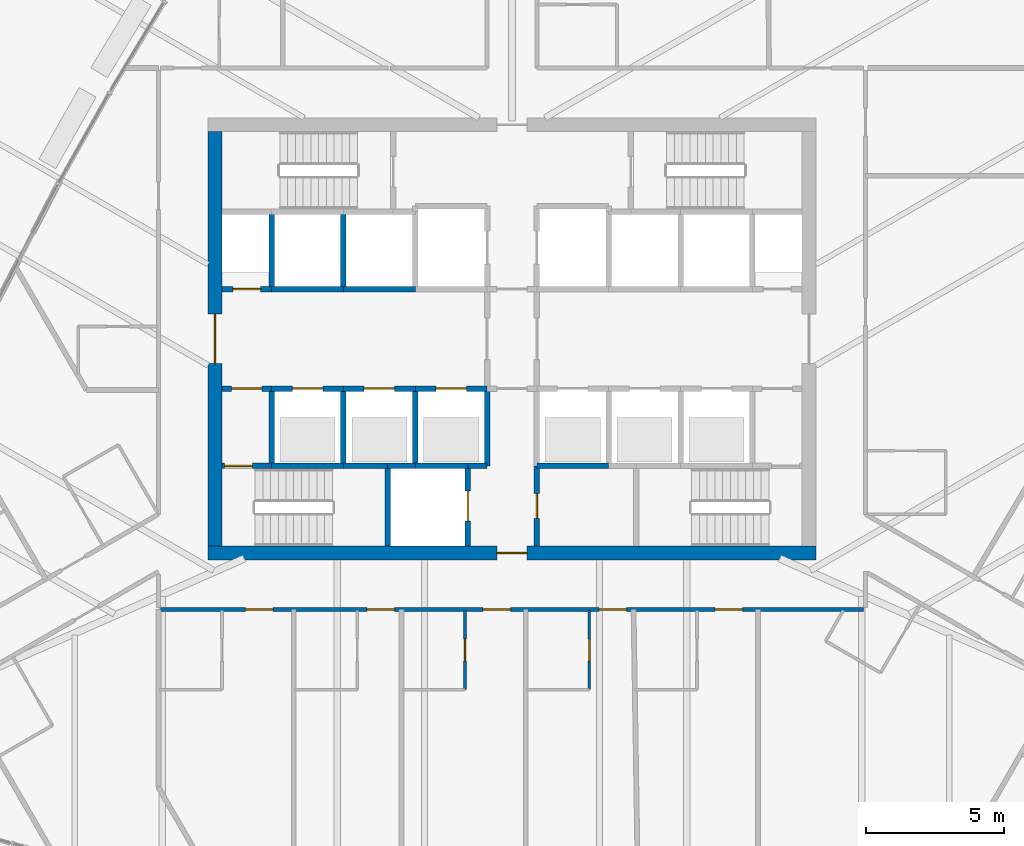
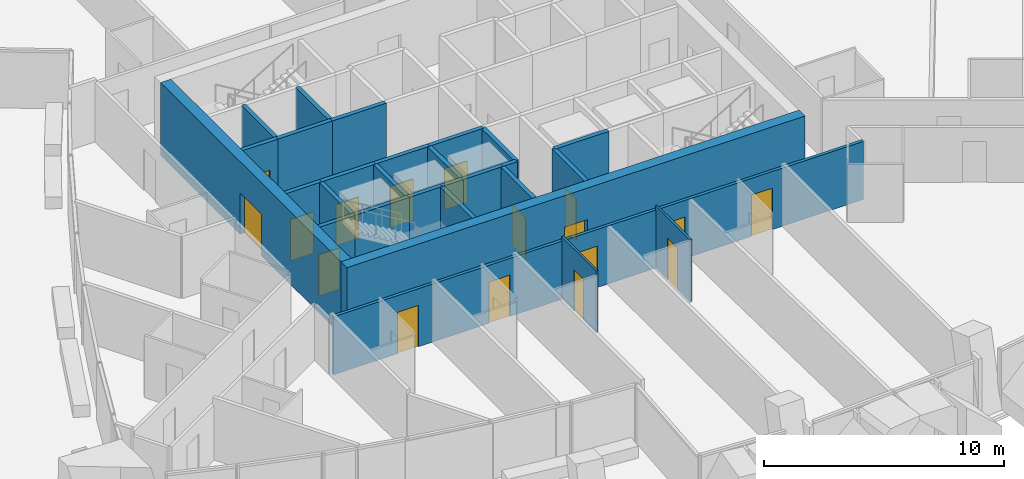
# One storey, part 15 of 24: 28 walls, 17 doors, 17 openings.
"""IFC4 building model written with IfcOpenShell, lengths in metres."""

import ifcopenshell
import ifcopenshell.guid

model = None  # the IFC model being written
_history = None  # IfcOwnerHistory: only IFC2X3 demands one
_inside = {}  # id of a spatial element -> (the spatial element, [elements in it])
_under = {}  # id of a project, library or spatial element -> (it, [spatial elements below it])
_declared = {}  # id of a project -> (the project, [libraries it declares])
_typed = {}  # id of a type object -> (the type object, [elements of that type])
_made_of = {}  # id of a material, layer set ... -> (it, [elements and type objects made of it])


def new_model(schema):
    """Start an empty IFC model of exactly this schema.

    Asked for "IFC4X3", IfcOpenShell would pick the latest addendum, in which some entities
    have other attributes; the version numbers below select the first issue.
    IFC2X3 requires an IfcOwnerHistory on every rooted entity: one is made here for all.
    """
    global model, _history
    if schema == "IFC4X3":
        model = ifcopenshell.file(schema_version=(4, 3, 0, 0))
    else:
        model = ifcopenshell.file(schema=schema)
    _inside.clear()
    _under.clear()
    _declared.clear()
    _typed.clear()
    _made_of.clear()
    _history = None
    if model.schema == "IFC2X3":
        org = make("IfcOrganization", Name="unknown")
        user = make(
            "IfcPersonAndOrganization",
            ThePerson=make("IfcPerson", FamilyName="unknown"),
            TheOrganization=org,
        )
        app = make(
            "IfcApplication",
            ApplicationDeveloper=org,
            Version="unknown",
            ApplicationFullName="unknown",
            ApplicationIdentifier="unknown",
        )
        _history = make(
            "IfcOwnerHistory",
            OwningUser=user,
            OwningApplication=app,
            ChangeAction="ADDED",
            CreationDate=0,
        )
    return model


def make(cls, **values):
    """One entity of the class cls with the attributes given. An attribute that is None is left unset."""
    return model.create_entity(
        cls, **{name: value for name, value in values.items() if value is not None}
    )


def rooted(cls, **values):
    """An entity with a GlobalId (a new one), such as an element, a storey or a relation."""
    return make(cls, GlobalId=ifcopenshell.guid.new(), OwnerHistory=_history, **values)


def si_unit(unit_type, name, prefix=None):
    """IfcSIUnit, for example si_unit("LENGTHUNIT", "METRE", prefix="MILLI")."""
    return make("IfcSIUnit", UnitType=unit_type, Prefix=prefix, Name=name)


def assignment(units):
    """IfcUnitAssignment: the units of a project."""
    return None if units is None else make("IfcUnitAssignment", Units=units)


def point(xyz):
    """IfcCartesianPoint."""
    return None if xyz is None else make("IfcCartesianPoint", Coordinates=xyz)


def direction(xyz):
    """IfcDirection."""
    return None if xyz is None else make("IfcDirection", DirectionRatios=xyz)


def frame(location, z_axis=None, x_axis=None):
    """IfcAxis2Placement3D, a coordinate frame: its origin and axes. An axis left out is left unset."""
    return make(
        "IfcAxis2Placement3D",
        Location=point(location),
        Axis=direction(z_axis),
        RefDirection=direction(x_axis),
    )


def frame_2d(location, x_axis=None):
    """IfcAxis2Placement2D, a coordinate frame in the plane: its origin and x axis."""
    return make(
        "IfcAxis2Placement2D", Location=point(location), RefDirection=direction(x_axis)
    )


def origin():
    """The frame at (0, 0, 0) with its axes left unset."""
    return frame((0.0, 0.0, 0.0))


def place(relative_to, where):
    """IfcLocalPlacement: puts the frame where relative to a parent placement (None: the world)."""
    return make(
        "IfcLocalPlacement", PlacementRelTo=relative_to, RelativePlacement=where
    )


def context(
    kind, dimensions, precision=None, world=None, true_north=None, identifier=None
):
    """IfcGeometricRepresentationContext, for example the 3D "Model" context."""
    return make(
        "IfcGeometricRepresentationContext",
        ContextIdentifier=identifier,
        ContextType=kind,
        CoordinateSpaceDimension=dimensions,
        Precision=precision,
        WorldCoordinateSystem=world,
        TrueNorth=true_north,
    )


def subcontext(parent, identifier, kind, view, scale=None):
    """IfcGeometricRepresentationSubContext, for example "Body" below "Model"."""
    return make(
        "IfcGeometricRepresentationSubContext",
        ContextIdentifier=identifier,
        ContextType=kind,
        ParentContext=parent,
        TargetScale=scale,
        TargetView=view,
    )


def project(units=None, contexts=None):
    """IfcProject with its units and contexts."""
    return rooted(
        "IfcProject",
        Name="project",
        RepresentationContexts=contexts,
        UnitsInContext=assignment(units),
    )


def spatial(cls, under=None, at=None, **own):
    """A site, building, storey or space (cls), placed at a placement, below another one or the project."""
    s = rooted(cls, ObjectPlacement=at, **own)
    if under is not None:
        _under.setdefault(under.id(), (under, []))[1].append(s)
    return s


def profile(cls, at=None, kind="AREA", **sizes):
    """A parametric profile (cls). Its sizes go by their IFC names, for example OverallWidth=200.0."""
    return make(cls, ProfileType=kind, Position=at, **sizes)


def rectangle(**sizes):
    """IfcRectangleProfileDef."""
    return profile("IfcRectangleProfileDef", **sizes)


def extrude(swept, where, along, depth):
    """IfcExtrudedAreaSolid: the profile swept, set in the frame where, extruded along a direction by depth."""
    return make(
        "IfcExtrudedAreaSolid",
        SweptArea=swept,
        Position=where,
        ExtrudedDirection=direction(along),
        Depth=depth,
    )


def shape(context_of_items, identifier, shape_type, items):
    """IfcShapeRepresentation: the items that make up one representation, for example the "Body"."""
    return make(
        "IfcShapeRepresentation",
        ContextOfItems=context_of_items,
        RepresentationIdentifier=identifier,
        RepresentationType=shape_type,
        Items=items,
    )


def material(Name=None, Category=None):
    """IfcMaterial."""
    return make("IfcMaterial", Name=Name, Category=Category)


def layer(
    of_material, thickness, ventilated=None, Name=None, Category=None, Priority=None
):
    """IfcMaterialLayer: one layer of a wall or slab, of a material (None: an air gap)."""
    return make(
        "IfcMaterialLayer",
        Material=of_material,
        LayerThickness=thickness,
        IsVentilated=ventilated,
        Name=Name,
        Category=Category,
        Priority=Priority,
    )


def layer_set(layers, Name=None):
    """IfcMaterialLayerSet."""
    return make("IfcMaterialLayerSet", MaterialLayers=layers, LayerSetName=Name)


def made_of(thing, what):
    """Note that an element or type object is made of a material, layer set ...; save() writes the relation."""
    if what is not None:
        _made_of.setdefault(what.id(), (what, []))[1].append(thing)
    return thing


def type_object(cls, material=None, **own):
    """A type object (cls), such as IfcWallType, which elements share."""
    return made_of(rooted(cls, **own), material)


def element(
    cls,
    number,
    at=None,
    inside=None,
    cuts=None,
    type_object=None,
    material=None,
    context=None,
    identifier="Body",
    shape_type=None,
    held_by="IfcProductDefinitionShape",
    body=None,
    shapes=None,
    **own,
):
    """One element of the class cls, such as IfcWall. Its Tag is "e" and its number.

    at: its placement. inside: the storey or other place that contains it. cuts: it is an
    opening in that element (IfcRelVoidsElement). A single representation is given by context,
    identifier, shape_type and body (its items); several are given by shapes. held_by: the class
    of the entity that holds the representations. save() writes the other relations.
    """
    e = rooted(cls, Tag="e%d" % number, ObjectPlacement=at, **own)
    if body is not None:
        shapes = [shape(context, identifier, shape_type, body)]
    if shapes is not None:
        e.Representation = make(held_by, Representations=shapes)
    if inside is not None:
        _inside.setdefault(inside.id(), (inside, []))[1].append(e)
    if cuts is not None:
        rooted(
            "IfcRelVoidsElement", RelatingBuildingElement=cuts, RelatedOpeningElement=e
        )
    if type_object is not None:
        _typed.setdefault(type_object.id(), (type_object, []))[1].append(e)
    return made_of(e, material)


def fill(opening, filler):
    """IfcRelFillsElement: the door or window that sits in an opening."""
    return rooted(
        "IfcRelFillsElement",
        RelatingOpeningElement=opening,
        RelatedBuildingElement=filler,
    )


def aggregate(whole, parts):
    """IfcRelAggregates: a whole, such as a stair, and the parts it consists of."""
    return rooted("IfcRelAggregates", RelatingObject=whole, RelatedObjects=parts)


def save(model, path):
    """Write the relations noted so far, then the file.

    IfcRelAggregates (storeys below a building ...), IfcRelContainedInSpatialStructure (elements
    in a storey), IfcRelDefinesByType, IfcRelAssociatesMaterial and IfcRelDeclares: one each for
    every whole, place, type object, material and project.
    """
    for whole, parts in _under.values():
        aggregate(whole, parts)
    for where, things in _inside.values():
        rooted(
            "IfcRelContainedInSpatialStructure",
            RelatedElements=things,
            RelatingStructure=where,
        )
    for kind, things in _typed.values():
        rooted("IfcRelDefinesByType", RelatedObjects=things, RelatingType=kind)
    for what, things in _made_of.values():
        rooted("IfcRelAssociatesMaterial", RelatedObjects=things, RelatingMaterial=what)
    for by, libraries in _declared.values():
        rooted("IfcRelDeclares", RelatingContext=by, RelatedDefinitions=libraries)
    model.write(path)


model = new_model("IFC4")

# Units and contexts
model_context = context("Model", 3, precision=1e-05, world=origin(), true_north=direction((0.0, 1.0)))
body_context = subcontext(model_context, "Body", "Model", "MODEL_VIEW")
ifc_project = project(units=[si_unit("LENGTHUNIT", "METRE"), si_unit("AREAUNIT", "SQUARE_METRE"), si_unit("VOLUMEUNIT", "CUBIC_METRE"), si_unit("PLANEANGLEUNIT", "RADIAN"), si_unit("MASSUNIT", "GRAM", prefix="KILO")], contexts=[model_context])

# Site, building, storey
site_placement = place(None, origin())
site = spatial("IfcSite", under=ifc_project, at=site_placement, CompositionType="ELEMENT")
building_placement = place(site_placement, origin())
building = spatial("IfcBuilding", under=site, at=building_placement, Name="Sierra Prisma Convention Tower", CompositionType="ELEMENT")
storey_placement = place(building_placement, frame((0.0, 0.0, 59.10009765625)))
storey = spatial("IfcBuildingStorey", under=building, at=storey_placement, Name="L10", CompositionType="ELEMENT", Elevation=59.10009765625)

# Wall, opening, door
ifc_material_1 = material(Name="Gypsum board partition", Category="gypsum")
ifc_layer_1 = layer(ifc_material_1, 0.10009765625)
ifc_layer_set_1 = layer_set([ifc_layer_1], Name="Bathroom partition 100")
wall_type_1 = type_object("IfcWallType", Name="Bathroom partition 100", PredefinedType="PARTITIONING", material=ifc_layer_set_1)
wall_1_placement = place(storey_placement, frame((-1.699951171875, -9.830078125, 0.0), z_axis=(0.0, 0.0, 1.0), x_axis=(0.0, -1.0, 0.0)))
wall_1 = element("IfcWall", 1, at=wall_1_placement, inside=storey, type_object=wall_type_1, Name="Partition L10 bath 16", PredefinedType="PARTITIONING", context=body_context, shape_type="SweptSolid", body=[
    extrude(rectangle(XDim=2.869873046875, YDim=0.10009765625, at=frame_2d((1.43505859375, 0.0))), origin(), (0.0, 0.0, 1.0), 3.14990234375),
])
opening_1_placement = place(wall_1_placement, frame((1.034912109375, 0.0, 0.0)))
opening_1 = element("IfcOpeningElement", 2, at=opening_1_placement, cuts=wall_1, Name="Opening L10-D014", PredefinedType="OPENING", context=body_context, shape_type="SweptSolid", body=[
    extrude(rectangle(XDim=0.800048828125, YDim=2.10009765625, at=frame_2d((0.39990234375, 1.050048828125))), frame((0.0, 0.050048828125, 0.0), z_axis=(0.0, -1.0, 0.0), x_axis=(1.0, 0.0, 0.0)), (0.0, 0.0, 1.0), 0.10009765625),
])
ifc_material_2 = material(Name="Solid core timber door leaf", Category="wood")
door_type_1 = type_object("IfcDoorType", Name="Door 800x2100 plain", OperationType="SINGLE_SWING_LEFT", PredefinedType="DOOR", material=ifc_material_2)
door_1_placement = place(opening_1_placement, origin())
door_1 = element("IfcDoor", 3, at=door_1_placement, inside=storey, type_object=door_type_1, Name="Door L10 25", OperationType="SINGLE_SWING_LEFT", OverallHeight=2.10009765625, OverallWidth=0.800048828125, PredefinedType="DOOR", context=body_context, shape_type="SweptSolid", body=[
    extrude(rectangle(XDim=0.800048828125, YDim=2.10009765625, at=frame_2d((0.39990234375, 1.050048828125))), frame((0.0, 0.02490234375, 0.0), z_axis=(0.0, -1.0, 0.0), x_axis=(1.0, 0.0, 0.0)), (0.0, 0.0, 1.0), 0.050048828125),
])
fill(opening_1, door_1)

wall_2_placement = place(storey_placement, frame((2.800048828125, -9.830078125, 0.0), z_axis=(0.0, 0.0, 1.0), x_axis=(0.0, -1.0, 0.0)))
wall_2 = element("IfcWall", 4, at=wall_2_placement, inside=storey, type_object=wall_type_1, Name="Partition L10 bath 21", PredefinedType="PARTITIONING", context=body_context, shape_type="SweptSolid", body=[
    extrude(rectangle(XDim=2.869873046875, YDim=0.10009765625, at=frame_2d((1.43505859375, 0.0))), origin(), (0.0, 0.0, 1.0), 3.14990234375),
])
opening_2_placement = place(wall_2_placement, frame((1.034912109375, 0.0, 0.0)))
opening_2 = element("IfcOpeningElement", 5, at=opening_2_placement, cuts=wall_2, Name="Opening L10-D015", PredefinedType="OPENING", context=body_context, shape_type="SweptSolid", body=[
    extrude(rectangle(XDim=0.800048828125, YDim=2.10009765625, at=frame_2d((0.39990234375, 1.050048828125))), frame((0.0, 0.050048828125, 0.0), z_axis=(0.0, -1.0, 0.0), x_axis=(1.0, 0.0, 0.0)), (0.0, 0.0, 1.0), 0.10009765625),
])
door_2_placement = place(opening_2_placement, origin())
door_2 = element("IfcDoor", 6, at=door_2_placement, inside=storey, type_object=door_type_1, Name="Door L10 27", OperationType="SINGLE_SWING_LEFT", OverallHeight=2.10009765625, OverallWidth=0.800048828125, PredefinedType="DOOR", context=body_context, shape_type="SweptSolid", body=[
    extrude(rectangle(XDim=0.800048828125, YDim=2.10009765625, at=frame_2d((0.39990234375, 1.050048828125))), frame((0.0, 0.02490234375, 0.0), z_axis=(0.0, -1.0, 0.0), x_axis=(1.0, 0.0, 0.0)), (0.0, 0.0, 1.0), 0.050048828125),
])
fill(opening_2, door_2)

ifc_material_3 = material(Name="Concrete C30/37", Category="concrete")
ifc_layer_2 = layer(ifc_material_3, 0.199951171875)
ifc_layer_set_2 = layer_set([ifc_layer_2], Name="Core wall RC 200 C30/37")
wall_type_2 = type_object("IfcWallType", Name="Core wall RC 200 C30/37", PredefinedType="SOLIDWALL", material=ifc_layer_set_2)
wall_3_placement = place(storey_placement, frame((-10.5, -4.60009765625, 0.0), z_axis=(0.0, 0.0, 1.0), x_axis=(1.0, 0.0, 0.0)))
wall_3 = element("IfcWall", 7, at=wall_3_placement, inside=storey, type_object=wall_type_2, Name="Core wall L10 1", PredefinedType="SOLIDWALL", context=body_context, shape_type="SweptSolid", body=[
    extrude(rectangle(XDim=1.800048828125, YDim=0.199951171875, at=frame_2d((0.89990234375, 0.0))), origin(), (0.0, 0.0, 1.0), 3.5498046875),
])
opening_3_placement = place(wall_3_placement, frame((0.10009765625, 0.0, 0.0)))
opening_3 = element("IfcOpeningElement", 8, at=opening_3_placement, cuts=wall_3, Name="Opening L10-D037", PredefinedType="OPENING", context=body_context, shape_type="SweptSolid", body=[
    extrude(rectangle(XDim=1.0, YDim=2.10009765625, at=frame_2d((0.5, 1.050048828125))), frame((0.0, 0.10009765625, 0.0), z_axis=(0.0, -1.0, 0.0), x_axis=(1.0, 0.0, 0.0)), (0.0, 0.0, 1.0), 0.199951171875),
])
ifc_material_4 = material(Name="Steel fire door leaf", Category="steel")
door_type_2 = type_object("IfcDoorType", Name="Door 1000x2100 FD90S", OperationType="SINGLE_SWING_LEFT", PredefinedType="DOOR", material=ifc_material_4)
door_3_placement = place(opening_3_placement, origin())
door_3 = element("IfcDoor", 9, at=door_3_placement, inside=storey, type_object=door_type_2, Name="Door L10 54", OperationType="SINGLE_SWING_LEFT", OverallHeight=2.10009765625, OverallWidth=1.0, PredefinedType="DOOR", context=body_context, shape_type="SweptSolid", body=[
    extrude(rectangle(XDim=1.0, YDim=2.10009765625, at=frame_2d((0.5, 1.050048828125))), frame((0.0, 0.02490234375, 0.0), z_axis=(0.0, -1.0, 0.0), x_axis=(1.0, 0.0, 0.0)), (0.0, 0.0, 1.0), 0.050048828125),
])
fill(opening_3, door_3)

wall_4_placement = place(storey_placement, frame((-10.5, -1.800048828125, 0.0), z_axis=(0.0, 0.0, 1.0), x_axis=(1.0, 0.0, 0.0)))
wall_4 = element("IfcWall", 10, at=wall_4_placement, inside=storey, type_object=wall_type_2, Name="Core wall L10 2", PredefinedType="SOLIDWALL", context=body_context, shape_type="SweptSolid", body=[
    extrude(rectangle(XDim=1.800048828125, YDim=0.199951171875, at=frame_2d((0.89990234375, 0.0))), origin(), (0.0, 0.0, 1.0), 3.5498046875),
])
opening_4_placement = place(wall_4_placement, frame((0.35009765625, 0.0, 0.0)))
opening_4 = element("IfcOpeningElement", 11, at=opening_4_placement, cuts=wall_4, Name="Opening L10-D031", PredefinedType="OPENING", context=body_context, shape_type="SweptSolid", body=[
    extrude(rectangle(XDim=1.10009765625, YDim=2.10009765625, at=frame_2d((0.550048828125, 1.050048828125))), frame((0.0, 0.10009765625, 0.0), z_axis=(0.0, -1.0, 0.0), x_axis=(1.0, 0.0, 0.0)), (0.0, 0.0, 1.0), 0.199951171875),
])
ifc_material_5 = material(Name="Steel fire door leaf", Category="steel")
door_type_3 = type_object("IfcDoorType", Name="Door 1100x2100 FD90S", OperationType="SINGLE_SWING_LEFT", PredefinedType="DOOR", material=ifc_material_5)
door_4_placement = place(opening_4_placement, origin())
door_4 = element("IfcDoor", 12, at=door_4_placement, inside=storey, type_object=door_type_3, Name="Door L10 48", OperationType="SINGLE_SWING_LEFT", OverallHeight=2.10009765625, OverallWidth=1.10009765625, PredefinedType="DOOR", context=body_context, shape_type="SweptSolid", body=[
    extrude(rectangle(XDim=1.10009765625, YDim=2.10009765625, at=frame_2d((0.550048828125, 1.050048828125))), frame((0.0, 0.02490234375, 0.0), z_axis=(0.0, -1.0, 0.0), x_axis=(1.0, 0.0, 0.0)), (0.0, 0.0, 1.0), 0.050048828125),
])
fill(opening_4, door_4)

wall_5_placement = place(storey_placement, frame((-8.699951171875, 1.800048828125, 0.0), z_axis=(0.0, 0.0, 1.0), x_axis=(-1.0, 0.0, 0.0)))
wall_5 = element("IfcWall", 13, at=wall_5_placement, inside=storey, type_object=wall_type_2, Name="Core wall L10 3", PredefinedType="SOLIDWALL", context=body_context, shape_type="SweptSolid", body=[
    extrude(rectangle(XDim=1.800048828125, YDim=0.199951171875, at=frame_2d((0.89990234375, 0.0))), origin(), (0.0, 0.0, 1.0), 3.5498046875),
])
opening_5_placement = place(wall_5_placement, frame((0.39990234375, 0.0, 0.0)))
opening_5 = element("IfcOpeningElement", 14, at=opening_5_placement, cuts=wall_5, Name="Opening L10-D035", PredefinedType="OPENING", context=body_context, shape_type="SweptSolid", body=[
    extrude(rectangle(XDim=1.0, YDim=2.10009765625, at=frame_2d((0.5, 1.050048828125))), frame((0.0, 0.10009765625, 0.0), z_axis=(0.0, -1.0, 0.0), x_axis=(1.0, 0.0, 0.0)), (0.0, 0.0, 1.0), 0.199951171875),
])
ifc_material_6 = material(Name="Steel fire door leaf", Category="steel")
door_type_4 = type_object("IfcDoorType", Name="Door 1000x2100 FD60S", OperationType="SINGLE_SWING_LEFT", PredefinedType="DOOR", material=ifc_material_6)
door_5_placement = place(opening_5_placement, origin())
door_5 = element("IfcDoor", 15, at=door_5_placement, inside=storey, type_object=door_type_4, Name="Door L10 52", OperationType="SINGLE_SWING_RIGHT", OverallHeight=2.10009765625, OverallWidth=1.0, PredefinedType="DOOR", context=body_context, shape_type="SweptSolid", body=[
    extrude(rectangle(XDim=1.0, YDim=2.10009765625, at=frame_2d((0.5, 1.050048828125))), frame((0.0, 0.02490234375, 0.0), z_axis=(0.0, -1.0, 0.0), x_axis=(1.0, 0.0, 0.0)), (0.0, 0.0, 1.0), 0.050048828125),
])
fill(opening_5, door_5)

# Walls
wall_6_placement = place(storey_placement, frame((-8.699951171875, -4.60009765625, 0.0), z_axis=(0.0, 0.0, 1.0), x_axis=(1.0, 0.0, 0.0)))
element("IfcWall", 16, at=wall_6_placement, inside=storey, type_object=wall_type_2, Name="Core wall L10 5", PredefinedType="SOLIDWALL", context=body_context, shape_type="SweptSolid", body=[
    extrude(rectangle(XDim=2.599853515625, YDim=0.199951171875, at=frame_2d((1.2998046875, 0.0))), origin(), (0.0, 0.0, 1.0), 3.5498046875),
])
wall_7_placement = place(storey_placement, frame((-8.699951171875, -4.60009765625, 0.0), z_axis=(0.0, 0.0, 1.0), x_axis=(0.0, 1.0, 0.0)))
element("IfcWall", 17, at=wall_7_placement, inside=storey, type_object=wall_type_2, Name="Core wall L10 6", PredefinedType="SOLIDWALL", context=body_context, shape_type="SweptSolid", body=[
    extrude(rectangle(XDim=2.800048828125, YDim=0.199951171875, at=frame_2d((1.39990234375, 0.0))), origin(), (0.0, 0.0, 1.0), 3.5498046875),
])

# Wall, opening, door
wall_8_placement = place(storey_placement, frame((-8.699951171875, -1.800048828125, 0.0), z_axis=(0.0, 0.0, 1.0), x_axis=(1.0, 0.0, 0.0)))
wall_8 = element("IfcWall", 18, at=wall_8_placement, inside=storey, type_object=wall_type_2, Name="Core wall L10 7", PredefinedType="SOLIDWALL", context=body_context, shape_type="SweptSolid", body=[
    extrude(rectangle(XDim=2.599853515625, YDim=0.199951171875, at=frame_2d((1.2998046875, 0.0))), origin(), (0.0, 0.0, 1.0), 3.5498046875),
])
opening_6_placement = place(wall_8_placement, frame((0.75, 0.0, 0.0)))
opening_6 = element("IfcOpeningElement", 19, at=opening_6_placement, cuts=wall_8, Name="Opening L10-D020", PredefinedType="OPENING", context=body_context, shape_type="SweptSolid", body=[
    extrude(rectangle(XDim=1.10009765625, YDim=2.10009765625, at=frame_2d((0.550048828125, 1.050048828125))), frame((0.0, 0.10009765625, 0.0), z_axis=(0.0, -1.0, 0.0), x_axis=(1.0, 0.0, 0.0)), (0.0, 0.0, 1.0), 0.199951171875),
])
ifc_material_7 = material(Name="Steel fire door leaf", Category="steel")
door_type_5 = type_object("IfcDoorType", Name="Door 1100x2100 EI 90 sliding lift landing", OperationType="SLIDING_TO_LEFT", PredefinedType="DOOR", material=ifc_material_7)
door_6_placement = place(opening_6_placement, origin())
door_6 = element("IfcDoor", 20, at=door_6_placement, inside=storey, type_object=door_type_5, Name="Door L10 37", OperationType="SLIDING_TO_LEFT", OverallHeight=2.10009765625, OverallWidth=1.10009765625, PredefinedType="DOOR", context=body_context, shape_type="SweptSolid", body=[
    extrude(rectangle(XDim=1.10009765625, YDim=2.10009765625, at=frame_2d((0.550048828125, 1.050048828125))), frame((0.0, 0.02490234375, 0.0), z_axis=(0.0, -1.0, 0.0), x_axis=(1.0, 0.0, 0.0)), (0.0, 0.0, 1.0), 0.050048828125),
])
fill(opening_6, door_6)

# Walls
wall_9_placement = place(storey_placement, frame((-6.10009765625, 1.800048828125, 0.0), z_axis=(0.0, 0.0, 1.0), x_axis=(-1.0, 0.0, 0.0)))
element("IfcWall", 21, at=wall_9_placement, inside=storey, type_object=wall_type_2, Name="Core wall L10 8", PredefinedType="SOLIDWALL", context=body_context, shape_type="SweptSolid", body=[
    extrude(rectangle(XDim=2.599853515625, YDim=0.199951171875, at=frame_2d((1.2998046875, 0.0))), origin(), (0.0, 0.0, 1.0), 3.5498046875),
])
wall_10_placement = place(storey_placement, frame((-8.699951171875, 1.800048828125, 0.0), z_axis=(0.0, 0.0, 1.0), x_axis=(0.0, 1.0, 0.0)))
element("IfcWall", 22, at=wall_10_placement, inside=storey, type_object=wall_type_2, Name="Core wall L10 9", PredefinedType="SOLIDWALL", context=body_context, shape_type="SweptSolid", body=[
    extrude(rectangle(XDim=2.800048828125, YDim=0.199951171875, at=frame_2d((1.39990234375, 0.0))), origin(), (0.0, 0.0, 1.0), 3.5498046875),
])
wall_11_placement = place(storey_placement, frame((-6.10009765625, -4.60009765625, 0.0), z_axis=(0.0, 0.0, 1.0), x_axis=(1.0, 0.0, 0.0)))
element("IfcWall", 23, at=wall_11_placement, inside=storey, type_object=wall_type_2, Name="Core wall L10 11", PredefinedType="SOLIDWALL", context=body_context, shape_type="SweptSolid", body=[
    extrude(rectangle(XDim=1.60009765625, YDim=0.199951171875, at=frame_2d((0.800048828125, 0.0))), origin(), (0.0, 0.0, 1.0), 3.5498046875),
])
wall_12_placement = place(storey_placement, frame((-6.10009765625, -4.60009765625, 0.0), z_axis=(0.0, 0.0, 1.0), x_axis=(0.0, 1.0, 0.0)))
element("IfcWall", 24, at=wall_12_placement, inside=storey, type_object=wall_type_2, Name="Core wall L10 12", PredefinedType="SOLIDWALL", context=body_context, shape_type="SweptSolid", body=[
    extrude(rectangle(XDim=2.800048828125, YDim=0.199951171875, at=frame_2d((1.39990234375, 0.0))), origin(), (0.0, 0.0, 1.0), 3.5498046875),
])

# Wall, opening, door
wall_13_placement = place(storey_placement, frame((-6.10009765625, -1.800048828125, 0.0), z_axis=(0.0, 0.0, 1.0), x_axis=(1.0, 0.0, 0.0)))
wall_13 = element("IfcWall", 25, at=wall_13_placement, inside=storey, type_object=wall_type_2, Name="Core wall L10 13", PredefinedType="SOLIDWALL", context=body_context, shape_type="SweptSolid", body=[
    extrude(rectangle(XDim=2.60009765625, YDim=0.199951171875, at=frame_2d((1.300048828125, 0.0))), origin(), (0.0, 0.0, 1.0), 3.5498046875),
])
opening_7_placement = place(wall_13_placement, frame((0.75, 0.0, 0.0)))
opening_7 = element("IfcOpeningElement", 26, at=opening_7_placement, cuts=wall_13, Name="Opening L10-D021", PredefinedType="OPENING", context=body_context, shape_type="SweptSolid", body=[
    extrude(rectangle(XDim=1.10009765625, YDim=2.10009765625, at=frame_2d((0.550048828125, 1.050048828125))), frame((0.0, 0.10009765625, 0.0), z_axis=(0.0, -1.0, 0.0), x_axis=(1.0, 0.0, 0.0)), (0.0, 0.0, 1.0), 0.199951171875),
])
door_7_placement = place(opening_7_placement, origin())
door_7 = element("IfcDoor", 27, at=door_7_placement, inside=storey, type_object=door_type_5, Name="Door L10 38", OperationType="SLIDING_TO_RIGHT", OverallHeight=2.10009765625, OverallWidth=1.10009765625, PredefinedType="DOOR", context=body_context, shape_type="SweptSolid", body=[
    extrude(rectangle(XDim=1.10009765625, YDim=2.10009765625, at=frame_2d((0.550048828125, 1.050048828125))), frame((0.0, 0.02490234375, 0.0), z_axis=(0.0, -1.0, 0.0), x_axis=(1.0, 0.0, 0.0)), (0.0, 0.0, 1.0), 0.050048828125),
])
fill(opening_7, door_7)

# Walls
wall_14_placement = place(storey_placement, frame((-3.5, 1.800048828125, 0.0), z_axis=(0.0, 0.0, 1.0), x_axis=(-1.0, 0.0, 0.0)))
element("IfcWall", 28, at=wall_14_placement, inside=storey, type_object=wall_type_2, Name="Core wall L10 14", PredefinedType="SOLIDWALL", context=body_context, shape_type="SweptSolid", body=[
    extrude(rectangle(XDim=2.60009765625, YDim=0.199951171875, at=frame_2d((1.300048828125, 0.0))), origin(), (0.0, 0.0, 1.0), 3.5498046875),
])
wall_15_placement = place(storey_placement, frame((-6.10009765625, 1.800048828125, 0.0), z_axis=(0.0, 0.0, 1.0), x_axis=(0.0, 1.0, 0.0)))
element("IfcWall", 29, at=wall_15_placement, inside=storey, type_object=wall_type_2, Name="Core wall L10 15", PredefinedType="SOLIDWALL", context=body_context, shape_type="SweptSolid", body=[
    extrude(rectangle(XDim=2.800048828125, YDim=0.199951171875, at=frame_2d((1.39990234375, 0.0))), origin(), (0.0, 0.0, 1.0), 3.5498046875),
])
wall_16_placement = place(storey_placement, frame((-4.5, -4.60009765625, 0.0), z_axis=(0.0, 0.0, 1.0), x_axis=(0.0, -1.0, 0.0)))
element("IfcWall", 30, at=wall_16_placement, inside=storey, type_object=wall_type_2, Name="Core wall L10 17", PredefinedType="SOLIDWALL", context=body_context, shape_type="SweptSolid", body=[
    extrude(rectangle(XDim=2.89990234375, YDim=0.199951171875, at=frame_2d((1.449951171875, 0.0))), origin(), (0.0, 0.0, 1.0), 3.5498046875),
])
wall_17_placement = place(storey_placement, frame((-4.5, -4.60009765625, 0.0), z_axis=(0.0, 0.0, 1.0), x_axis=(1.0, 0.0, 0.0)))
element("IfcWall", 31, at=wall_17_placement, inside=storey, type_object=wall_type_2, Name="Core wall L10 18", PredefinedType="SOLIDWALL", context=body_context, shape_type="SweptSolid", body=[
    extrude(rectangle(XDim=1.0, YDim=0.199951171875, at=frame_2d((0.5, 0.0))), origin(), (0.0, 0.0, 1.0), 3.5498046875),
])
wall_18_placement = place(storey_placement, frame((-3.5, -4.60009765625, 0.0), z_axis=(0.0, 0.0, 1.0), x_axis=(1.0, 0.0, 0.0)))
element("IfcWall", 32, at=wall_18_placement, inside=storey, type_object=wall_type_2, Name="Core wall L10 21", PredefinedType="SOLIDWALL", context=body_context, shape_type="SweptSolid", body=[
    extrude(rectangle(XDim=1.89990234375, YDim=0.199951171875, at=frame_2d((0.949951171875, 0.0))), origin(), (0.0, 0.0, 1.0), 3.5498046875),
])
wall_19_placement = place(storey_placement, frame((-3.5, -4.60009765625, 0.0), z_axis=(0.0, 0.0, 1.0), x_axis=(0.0, 1.0, 0.0)))
element("IfcWall", 33, at=wall_19_placement, inside=storey, type_object=wall_type_2, Name="Core wall L10 22", PredefinedType="SOLIDWALL", context=body_context, shape_type="SweptSolid", body=[
    extrude(rectangle(XDim=2.800048828125, YDim=0.199951171875, at=frame_2d((1.39990234375, 0.0))), origin(), (0.0, 0.0, 1.0), 3.5498046875),
])

# Wall, opening, door
wall_20_placement = place(storey_placement, frame((-3.5, -1.800048828125, 0.0), z_axis=(0.0, 0.0, 1.0), x_axis=(1.0, 0.0, 0.0)))
wall_20 = element("IfcWall", 34, at=wall_20_placement, inside=storey, type_object=wall_type_2, Name="Core wall L10 23", PredefinedType="SOLIDWALL", context=body_context, shape_type="SweptSolid", body=[
    extrude(rectangle(XDim=2.60009765625, YDim=0.199951171875, at=frame_2d((1.300048828125, 0.0))), origin(), (0.0, 0.0, 1.0), 3.5498046875),
])
opening_8_placement = place(wall_20_placement, frame((0.75, 0.0, 0.0)))
opening_8 = element("IfcOpeningElement", 35, at=opening_8_placement, cuts=wall_20, Name="Opening L10-D022", PredefinedType="OPENING", context=body_context, shape_type="SweptSolid", body=[
    extrude(rectangle(XDim=1.10009765625, YDim=2.10009765625, at=frame_2d((0.550048828125, 1.050048828125))), frame((0.0, 0.10009765625, 0.0), z_axis=(0.0, -1.0, 0.0), x_axis=(1.0, 0.0, 0.0)), (0.0, 0.0, 1.0), 0.199951171875),
])
door_8_placement = place(opening_8_placement, origin())
door_8 = element("IfcDoor", 36, at=door_8_placement, inside=storey, type_object=door_type_5, Name="Door L10 39", OperationType="SLIDING_TO_RIGHT", OverallHeight=2.10009765625, OverallWidth=1.10009765625, PredefinedType="DOOR", context=body_context, shape_type="SweptSolid", body=[
    extrude(rectangle(XDim=1.10009765625, YDim=2.10009765625, at=frame_2d((0.550048828125, 1.050048828125))), frame((0.0, 0.02490234375, 0.0), z_axis=(0.0, -1.0, 0.0), x_axis=(1.0, 0.0, 0.0)), (0.0, 0.0, 1.0), 0.050048828125),
])
fill(opening_8, door_8)

wall_21_placement = place(storey_placement, frame((-1.60009765625, -7.5, 0.0), z_axis=(0.0, 0.0, 1.0), x_axis=(0.0, 1.0, 0.0)))
wall_21 = element("IfcWall", 37, at=wall_21_placement, inside=storey, type_object=wall_type_2, Name="Core wall L10 29", PredefinedType="SOLIDWALL", context=body_context, shape_type="SweptSolid", body=[
    extrude(rectangle(XDim=2.89990234375, YDim=0.199951171875, at=frame_2d((1.449951171875, 0.0))), origin(), (0.0, 0.0, 1.0), 3.5498046875),
])
opening_9_placement = place(wall_21_placement, frame((0.89990234375, 0.0, 0.0)))
opening_9 = element("IfcOpeningElement", 38, at=opening_9_placement, cuts=wall_21, Name="Opening L10-D028", PredefinedType="OPENING", context=body_context, shape_type="SweptSolid", body=[
    extrude(rectangle(XDim=1.10009765625, YDim=2.10009765625, at=frame_2d((0.550048828125, 1.050048828125))), frame((0.0, 0.10009765625, 0.0), z_axis=(0.0, -1.0, 0.0), x_axis=(1.0, 0.0, 0.0)), (0.0, 0.0, 1.0), 0.199951171875),
])
door_9_placement = place(opening_9_placement, origin())
door_9 = element("IfcDoor", 39, at=door_9_placement, inside=storey, type_object=door_type_5, Name="Door L10 45", OperationType="SLIDING_TO_RIGHT", OverallHeight=2.10009765625, OverallWidth=1.10009765625, PredefinedType="DOOR", context=body_context, shape_type="SweptSolid", body=[
    extrude(rectangle(XDim=1.10009765625, YDim=2.10009765625, at=frame_2d((0.550048828125, 1.050048828125))), frame((0.0, 0.02490234375, 0.0), z_axis=(0.0, -1.0, 0.0), x_axis=(1.0, 0.0, 0.0)), (0.0, 0.0, 1.0), 0.050048828125),
])
fill(opening_9, door_9)

# Walls
wall_22_placement = place(storey_placement, frame((-1.60009765625, -4.60009765625, 0.0), z_axis=(0.0, 0.0, 1.0), x_axis=(1.0, 0.0, 0.0)))
element("IfcWall", 40, at=wall_22_placement, inside=storey, type_object=wall_type_2, Name="Core wall L10 30", PredefinedType="SOLIDWALL", context=body_context, shape_type="SweptSolid", body=[
    extrude(rectangle(XDim=0.7001953125, YDim=0.199951171875, at=frame_2d((0.35009765625, 0.0))), origin(), (0.0, 0.0, 1.0), 3.5498046875),
])
wall_23_placement = place(storey_placement, frame((-0.89990234375, -4.60009765625, 0.0), z_axis=(0.0, 0.0, 1.0), x_axis=(0.0, 1.0, 0.0)))
element("IfcWall", 41, at=wall_23_placement, inside=storey, type_object=wall_type_2, Name="Core wall L10 31", PredefinedType="SOLIDWALL", context=body_context, shape_type="SweptSolid", body=[
    extrude(rectangle(XDim=2.800048828125, YDim=0.199951171875, at=frame_2d((1.39990234375, 0.0))), origin(), (0.0, 0.0, 1.0), 3.5498046875),
])

# Wall, opening, door
wall_24_placement = place(storey_placement, frame((0.89990234375, -4.60009765625, 0.0), z_axis=(0.0, 0.0, 1.0), x_axis=(0.0, -1.0, 0.0)))
wall_24 = element("IfcWall", 42, at=wall_24_placement, inside=storey, type_object=wall_type_2, Name="Core wall L10 35", PredefinedType="SOLIDWALL", context=body_context, shape_type="SweptSolid", body=[
    extrude(rectangle(XDim=2.89990234375, YDim=0.199951171875, at=frame_2d((1.449951171875, 0.0))), origin(), (0.0, 0.0, 1.0), 3.5498046875),
])
opening_10_placement = place(wall_24_placement, frame((1.0, 0.0, 0.0)))
opening_10 = element("IfcOpeningElement", 43, at=opening_10_placement, cuts=wall_24, Name="Opening L10-D041", PredefinedType="OPENING", context=body_context, shape_type="SweptSolid", body=[
    extrude(rectangle(XDim=0.89990234375, YDim=2.10009765625, at=frame_2d((0.449951171875, 1.050048828125))), frame((0.0, 0.10009765625, 0.0), z_axis=(0.0, -1.0, 0.0), x_axis=(1.0, 0.0, 0.0)), (0.0, 0.0, 1.0), 0.199951171875),
])
ifc_material_8 = material(Name="Steel fire door leaf", Category="steel")
door_type_6 = type_object("IfcDoorType", Name="Door 900x2100 FD30S", OperationType="SINGLE_SWING_LEFT", PredefinedType="DOOR", material=ifc_material_8)
door_10_placement = place(opening_10_placement, origin())
door_10 = element("IfcDoor", 44, at=door_10_placement, inside=storey, type_object=door_type_6, Name="Door L10 58", OperationType="SINGLE_SWING_RIGHT", OverallHeight=2.10009765625, OverallWidth=0.89990234375, PredefinedType="DOOR", context=body_context, shape_type="SweptSolid", body=[
    extrude(rectangle(XDim=0.89990234375, YDim=2.10009765625, at=frame_2d((0.449951171875, 1.050048828125))), frame((0.0, 0.02490234375, 0.0), z_axis=(0.0, -1.0, 0.0), x_axis=(1.0, 0.0, 0.0)), (0.0, 0.0, 1.0), 0.050048828125),
])
fill(opening_10, door_10)

# Wall
wall_25_placement = place(storey_placement, frame((3.5, -4.60009765625, 0.0), z_axis=(0.0, 0.0, 1.0), x_axis=(-1.0, 0.0, 0.0)))
element("IfcWall", 45, at=wall_25_placement, inside=storey, type_object=wall_type_2, Name="Core wall L10 36", PredefinedType="SOLIDWALL", context=body_context, shape_type="SweptSolid", body=[
    extrude(rectangle(XDim=2.60009765625, YDim=0.199951171875, at=frame_2d((1.300048828125, 0.0))), origin(), (0.0, 0.0, 1.0), 3.5498046875),
])

# Wall, opening, door
ifc_material_9 = material(Name="Concrete C60/75", Category="concrete")
ifc_layer_3 = layer(ifc_material_9, 0.5)
ifc_layer_set_3 = layer_set([ifc_layer_3], Name="Core wall RC 500 C60/75")
wall_type_3 = type_object("IfcWallType", Name="Core wall RC 500 C60/75", PredefinedType="SHEAR", material=ifc_layer_set_3)
wall_26_placement = place(storey_placement, frame((-11.0, -7.75, 0.0), z_axis=(0.0, 0.0, 1.0), x_axis=(1.0, 0.0, 0.0)))
wall_26 = element("IfcWall", 46, at=wall_26_placement, inside=storey, type_object=wall_type_3, Name="Core wall S L10", PredefinedType="SHEAR", context=body_context, shape_type="SweptSolid", body=[
    extrude(rectangle(XDim=22.0, YDim=0.5, at=frame_2d((11.0, 0.0))), origin(), (0.0, 0.0, 1.0), 3.699951171875),
])
opening_11_placement = place(wall_26_placement, frame((10.449951171875, 0.0, 0.0)))
opening_11 = element("IfcOpeningElement", 47, at=opening_11_placement, cuts=wall_26, Name="Opening L10-D064", PredefinedType="OPENING", context=body_context, shape_type="SweptSolid", body=[
    extrude(rectangle(XDim=1.10009765625, YDim=2.10009765625, at=frame_2d((0.550048828125, 1.050048828125))), frame((0.0, 0.25, 0.0), z_axis=(0.0, -1.0, 0.0), x_axis=(1.0, 0.0, 0.0)), (0.0, 0.0, 1.0), 0.5),
])
ifc_material_10 = material(Name="Steel fire door leaf", Category="steel")
door_type_7 = type_object("IfcDoorType", Name="Door 1100x2100 FD30S", OperationType="SINGLE_SWING_LEFT", PredefinedType="DOOR", material=ifc_material_10)
door_11_placement = place(opening_11_placement, origin())
door_11 = element("IfcDoor", 48, at=door_11_placement, inside=storey, type_object=door_type_7, Name="Door L10 62", OperationType="SINGLE_SWING_LEFT", OverallHeight=2.10009765625, OverallWidth=1.10009765625, PredefinedType="DOOR", context=body_context, shape_type="SweptSolid", body=[
    extrude(rectangle(XDim=1.10009765625, YDim=2.10009765625, at=frame_2d((0.550048828125, 1.050048828125))), frame((0.0, 0.02490234375, 0.0), z_axis=(0.0, -1.0, 0.0), x_axis=(1.0, 0.0, 0.0)), (0.0, 0.0, 1.0), 0.050048828125),
])
fill(opening_11, door_11)

wall_27_placement = place(storey_placement, frame((-10.75, -7.5, 0.0), z_axis=(0.0, 0.0, 1.0), x_axis=(0.0, 1.0, 0.0)))
wall_27 = element("IfcWall", 49, at=wall_27_placement, inside=storey, type_object=wall_type_3, Name="Core wall W L10", PredefinedType="SHEAR", context=body_context, shape_type="SweptSolid", body=[
    extrude(rectangle(XDim=15.0, YDim=0.5, at=frame_2d((7.5, 0.0))), origin(), (0.0, 0.0, 1.0), 3.699951171875),
])
opening_12_placement = place(wall_27_placement, frame((6.60009765625, 0.0, 0.0)))
opening_12 = element("IfcOpeningElement", 50, at=opening_12_placement, cuts=wall_27, Name="Opening L10-D065", PredefinedType="OPENING", context=body_context, shape_type="SweptSolid", body=[
    extrude(rectangle(XDim=1.800048828125, YDim=2.10009765625, at=frame_2d((0.89990234375, 1.050048828125))), frame((0.0, 0.25, 0.0), z_axis=(0.0, -1.0, 0.0), x_axis=(1.0, 0.0, 0.0)), (0.0, 0.0, 1.0), 0.5),
])
ifc_material_11 = material(Name="Steel fire door leaf", Category="steel")
door_type_8 = type_object("IfcDoorType", Name="Door 1800x2100 FD60S", OperationType="DOUBLE_DOOR_SINGLE_SWING", PredefinedType="DOOR", material=ifc_material_11)
door_12_placement = place(opening_12_placement, origin())
door_12 = element("IfcDoor", 51, at=door_12_placement, inside=storey, type_object=door_type_8, Name="Door L10 59", OperationType="DOUBLE_DOOR_SINGLE_SWING", OverallHeight=2.10009765625, OverallWidth=1.800048828125, PredefinedType="DOOR", context=body_context, shape_type="SweptSolid", body=[
    extrude(rectangle(XDim=1.800048828125, YDim=2.10009765625, at=frame_2d((0.89990234375, 1.050048828125))), frame((0.0, 0.02490234375, 0.0), z_axis=(0.0, -1.0, 0.0), x_axis=(1.0, 0.0, 0.0)), (0.0, 0.0, 1.0), 0.050048828125),
])
fill(opening_12, door_12)

# Wall, openings, doors
ifc_material_12 = material(Name="Gypsum board partition", Category="gypsum")
ifc_layer_4 = layer(ifc_material_12, 0.14990234375)
ifc_layer_set_4 = layer_set([ifc_layer_4], Name="Corridor wall 150 gypsum EI 60")
wall_type_4 = type_object("IfcWallType", Name="Corridor wall 150 gypsum EI 60", PredefinedType="PARTITIONING", material=ifc_layer_set_4)
wall_28_placement = place(storey_placement, frame((-12.719970703125, -9.800048828125, 0.0), z_axis=(0.0, 0.0, 1.0), x_axis=(1.0, 0.0, 0.0)))
wall_28 = element("IfcWall", 52, at=wall_28_placement, inside=storey, type_object=wall_type_4, Name="Partition L10 corr 6", PredefinedType="PARTITIONING", context=body_context, shape_type="SweptSolid", body=[
    extrude(rectangle(XDim=25.43994140625, YDim=0.14990234375, at=frame_2d((12.719970703125, 0.0))), origin(), (0.0, 0.0, 1.0), 2.947021484375),
])
opening_13_placement = place(wall_28_placement, frame((3.070068359375, 0.0, 0.0)))
opening_13 = element("IfcOpeningElement", 53, at=opening_13_placement, cuts=wall_28, Name="Opening L10-D053", PredefinedType="OPENING", context=body_context, shape_type="SweptSolid", body=[
    extrude(rectangle(XDim=1.0, YDim=2.10009765625, at=frame_2d((0.5, 1.050048828125))), frame((0.0, 0.074951171875, 0.0), z_axis=(0.0, -1.0, 0.0), x_axis=(1.0, 0.0, 0.0)), (0.0, 0.0, 1.0), 0.14990234375),
])
opening_14_placement = place(wall_28_placement, frame((7.469970703125, 0.0, 0.0)))
opening_14 = element("IfcOpeningElement", 54, at=opening_14_placement, cuts=wall_28, Name="Opening L10-D054", PredefinedType="OPENING", context=body_context, shape_type="SweptSolid", body=[
    extrude(rectangle(XDim=1.0, YDim=2.10009765625, at=frame_2d((0.5, 1.050048828125))), frame((0.0, 0.074951171875, 0.0), z_axis=(0.0, -1.0, 0.0), x_axis=(1.0, 0.0, 0.0)), (0.0, 0.0, 1.0), 0.14990234375),
])
opening_15_placement = place(wall_28_placement, frame((11.669921875, 0.0, 0.0)))
opening_15 = element("IfcOpeningElement", 55, at=opening_15_placement, cuts=wall_28, Name="Opening L10-D055", PredefinedType="OPENING", context=body_context, shape_type="SweptSolid", body=[
    extrude(rectangle(XDim=1.0, YDim=2.10009765625, at=frame_2d((0.5, 1.050048828125))), frame((0.0, 0.074951171875, 0.0), z_axis=(0.0, -1.0, 0.0), x_axis=(1.0, 0.0, 0.0)), (0.0, 0.0, 1.0), 0.14990234375),
])
opening_16_placement = place(wall_28_placement, frame((15.8701171875, 0.0, 0.0)))
opening_16 = element("IfcOpeningElement", 56, at=opening_16_placement, cuts=wall_28, Name="Opening L10-D056", PredefinedType="OPENING", context=body_context, shape_type="SweptSolid", body=[
    extrude(rectangle(XDim=1.0, YDim=2.10009765625, at=frame_2d((0.5, 1.050048828125))), frame((0.0, 0.074951171875, 0.0), z_axis=(0.0, -1.0, 0.0), x_axis=(1.0, 0.0, 0.0)), (0.0, 0.0, 1.0), 0.14990234375),
])
opening_17_placement = place(wall_28_placement, frame((20.070068359375, 0.0, 0.0)))
opening_17 = element("IfcOpeningElement", 57, at=opening_17_placement, cuts=wall_28, Name="Opening L10-D057", PredefinedType="OPENING", context=body_context, shape_type="SweptSolid", body=[
    extrude(rectangle(XDim=1.0, YDim=2.10009765625, at=frame_2d((0.5, 1.050048828125))), frame((0.0, 0.074951171875, 0.0), z_axis=(0.0, -1.0, 0.0), x_axis=(1.0, 0.0, 0.0)), (0.0, 0.0, 1.0), 0.14990234375),
])
ifc_material_13 = material(Name="Steel fire door leaf", Category="steel")
door_type_9 = type_object("IfcDoorType", Name="Door 1000x2100 FD30S", OperationType="SINGLE_SWING_LEFT", PredefinedType="DOOR", material=ifc_material_13)
door_13_placement = place(opening_13_placement, origin())
door_13 = element("IfcDoor", 58, at=door_13_placement, inside=storey, type_object=door_type_9, Name="Door L10 20", OperationType="SINGLE_SWING_LEFT", OverallHeight=2.10009765625, OverallWidth=1.0, PredefinedType="DOOR", context=body_context, shape_type="SweptSolid", body=[
    extrude(rectangle(XDim=1.0, YDim=2.10009765625, at=frame_2d((0.5, 1.050048828125))), frame((0.0, 0.02490234375, 0.0), z_axis=(0.0, -1.0, 0.0), x_axis=(1.0, 0.0, 0.0)), (0.0, 0.0, 1.0), 0.050048828125),
])
fill(opening_13, door_13)
door_14_placement = place(opening_14_placement, origin())
door_14 = element("IfcDoor", 59, at=door_14_placement, inside=storey, type_object=door_type_9, Name="Door L10 22", OperationType="SINGLE_SWING_LEFT", OverallHeight=2.10009765625, OverallWidth=1.0, PredefinedType="DOOR", context=body_context, shape_type="SweptSolid", body=[
    extrude(rectangle(XDim=1.0, YDim=2.10009765625, at=frame_2d((0.5, 1.050048828125))), frame((0.0, 0.02490234375, 0.0), z_axis=(0.0, -1.0, 0.0), x_axis=(1.0, 0.0, 0.0)), (0.0, 0.0, 1.0), 0.050048828125),
])
fill(opening_14, door_14)
door_15_placement = place(opening_15_placement, origin())
door_15 = element("IfcDoor", 60, at=door_15_placement, inside=storey, type_object=door_type_9, Name="Door L10 24", OperationType="SINGLE_SWING_LEFT", OverallHeight=2.10009765625, OverallWidth=1.0, PredefinedType="DOOR", context=body_context, shape_type="SweptSolid", body=[
    extrude(rectangle(XDim=1.0, YDim=2.10009765625, at=frame_2d((0.5, 1.050048828125))), frame((0.0, 0.02490234375, 0.0), z_axis=(0.0, -1.0, 0.0), x_axis=(1.0, 0.0, 0.0)), (0.0, 0.0, 1.0), 0.050048828125),
])
fill(opening_15, door_15)
door_16_placement = place(opening_16_placement, origin())
door_16 = element("IfcDoor", 61, at=door_16_placement, inside=storey, type_object=door_type_9, Name="Door L10 26", OperationType="SINGLE_SWING_LEFT", OverallHeight=2.10009765625, OverallWidth=1.0, PredefinedType="DOOR", context=body_context, shape_type="SweptSolid", body=[
    extrude(rectangle(XDim=1.0, YDim=2.10009765625, at=frame_2d((0.5, 1.050048828125))), frame((0.0, 0.02490234375, 0.0), z_axis=(0.0, -1.0, 0.0), x_axis=(1.0, 0.0, 0.0)), (0.0, 0.0, 1.0), 0.050048828125),
])
fill(opening_16, door_16)
door_17_placement = place(opening_17_placement, origin())
door_17 = element("IfcDoor", 62, at=door_17_placement, inside=storey, type_object=door_type_9, Name="Door L10 28", OperationType="SINGLE_SWING_LEFT", OverallHeight=2.10009765625, OverallWidth=1.0, PredefinedType="DOOR", context=body_context, shape_type="SweptSolid", body=[
    extrude(rectangle(XDim=1.0, YDim=2.10009765625, at=frame_2d((0.5, 1.050048828125))), frame((0.0, 0.02490234375, 0.0), z_axis=(0.0, -1.0, 0.0), x_axis=(1.0, 0.0, 0.0)), (0.0, 0.0, 1.0), 0.050048828125),
])
fill(opening_17, door_17)

save(model, "model.ifc")
